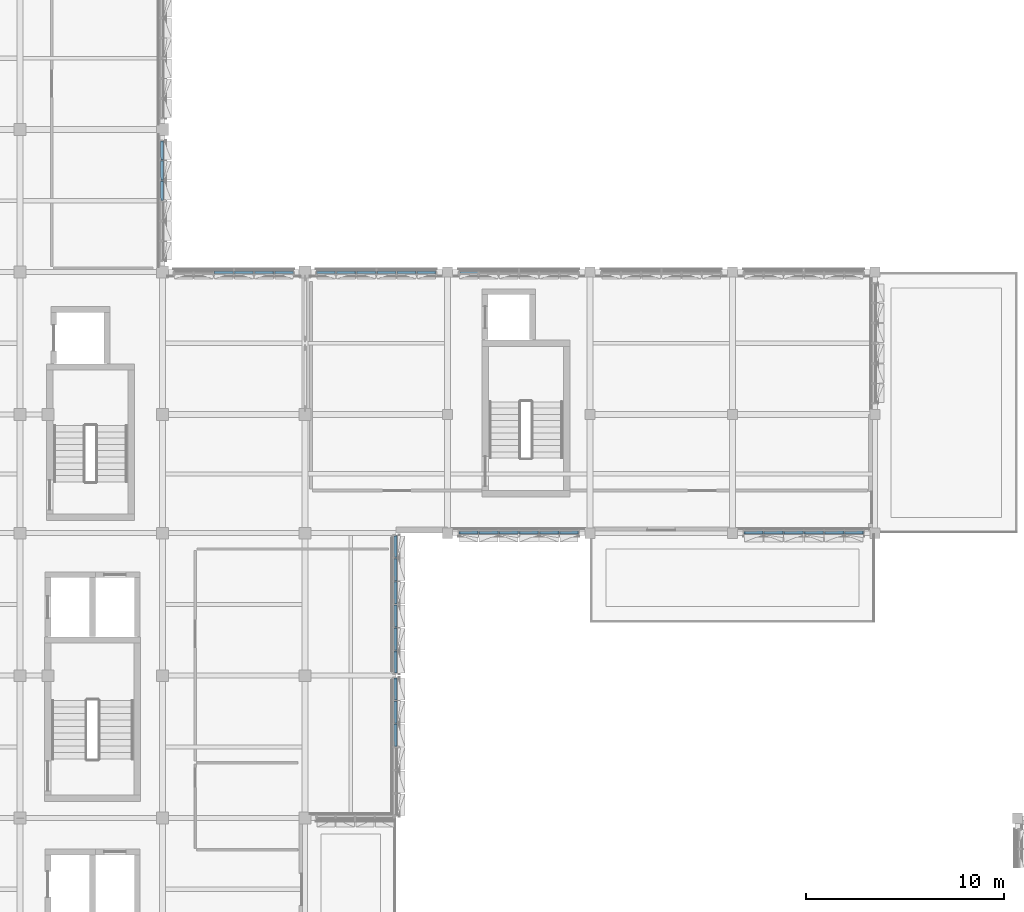
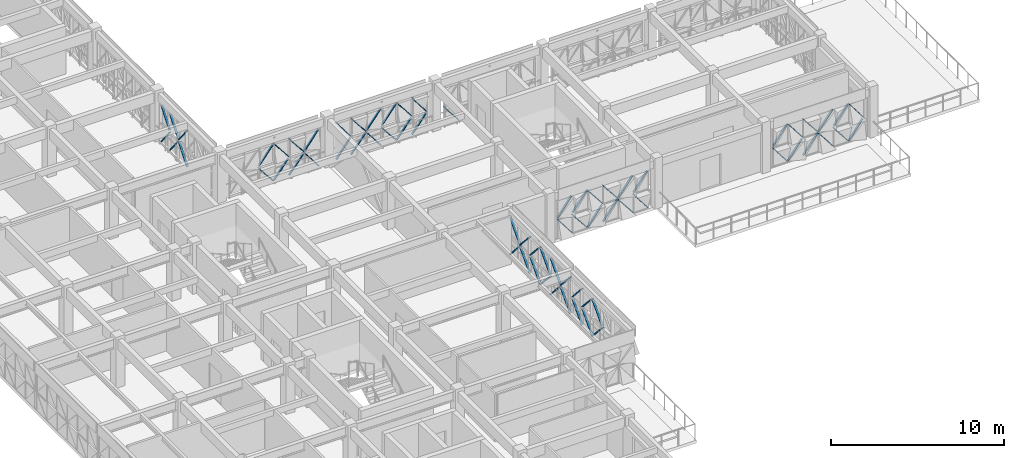
# One storey, part 46 of 74: 69 discrete accessories.
"""IFC4 building model written with IfcOpenShell, lengths in metres."""

from ifc_helpers import new_model, si_unit, direction, frame, origin, origin_2d, place, context, subcontext, project, spatial, rectangle, extrude, material, type_object, element, save


model = new_model("IFC4")

# Units and contexts
model_context = context("Model", 3, precision=1e-05, world=origin(), true_north=direction((0.0, 1.0)))
body_context = subcontext(model_context, "Body", "Model", "MODEL_VIEW")
ifc_project = project(units=[si_unit("LENGTHUNIT", "METRE"), si_unit("AREAUNIT", "SQUARE_METRE"), si_unit("VOLUMEUNIT", "CUBIC_METRE"), si_unit("PLANEANGLEUNIT", "RADIAN"), si_unit("MASSUNIT", "GRAM", prefix="KILO")], contexts=[model_context])

# Site, building, storey
site_placement = place(None, origin())
site = spatial("IfcSite", under=ifc_project, at=site_placement, CompositionType="ELEMENT")
building_placement = place(site_placement, origin())
building = spatial("IfcBuilding", under=site, at=building_placement, Name="Alvorim Cloister Faculty of Sciences", CompositionType="ELEMENT")
storey_placement = place(building_placement, frame((0.0, 0.0, 15.75)))
storey = spatial("IfcBuildingStorey", under=building, at=storey_placement, Name="L04", CompositionType="ELEMENT", Elevation=15.75)

# Discrete accessories
ifc_material = material(Name="Aluminium Alloy 6063-T6", Category="aluminium")
discrete_accessory_type = type_object("IfcDiscreteAccessoryType", Name="ACC-DIAG-BAR", PredefinedType="BRACKET", material=ifc_material)
discrete_accessory_1_placement = place(storey_placement, frame((21.577392578125, 60.032470703125, 0.139892578125), z_axis=(-0.006476523147, 0.617955086572, 0.786186724404), x_axis=(-0.999945083323, -0.010479997039, 0.0)))
element("IfcDiscreteAccessory", 1, at=discrete_accessory_1_placement, inside=storey, type_object=discrete_accessory_type, Name="Diagonal Cassette Glazing Bracket ACC-02044", PredefinedType="BRACKET", context=body_context, shape_type="SweptSolid", body=[
    extrude(rectangle(XDim=0.139892578125, YDim=0.044921875, at=origin_2d()), origin(), (0.0, 0.0, 1.0), 1.545654296875),
])
discrete_accessory_2_placement = place(storey_placement, frame((21.577392578125, 60.032470703125, 2.7099609375), z_axis=(-0.00647732753, 0.618031836495, -0.786126385072), x_axis=(-0.999945083323, -0.010479997039, 0.0)))
element("IfcDiscreteAccessory", 2, at=discrete_accessory_2_placement, inside=storey, type_object=discrete_accessory_type, Name="Diagonal Cassette Glazing Bracket ACC-02045", PredefinedType="BRACKET", context=body_context, shape_type="SweptSolid", body=[
    extrude(rectangle(XDim=0.139892578125, YDim=0.044921875, at=origin_2d()), origin(), (0.0, 0.0, 1.0), 1.54541015625),
])
discrete_accessory_3_placement = place(storey_placement, frame((21.577392578125, 61.052490234375, 1.35498046875), z_axis=(-0.006476523147, 0.617955086572, -0.786186724404), x_axis=(-0.999945083323, -0.010479997039, 0.0)))
element("IfcDiscreteAccessory", 3, at=discrete_accessory_3_placement, inside=storey, type_object=discrete_accessory_type, Name="Diagonal Cassette Glazing Bracket ACC-02046", PredefinedType="BRACKET", context=body_context, shape_type="SweptSolid", body=[
    extrude(rectangle(XDim=0.139892578125, YDim=0.044921875, at=origin_2d()), origin(), (0.0, 0.0, 1.0), 1.545654296875),
])
discrete_accessory_4_placement = place(storey_placement, frame((21.577392578125, 61.052490234375, 1.4951171875), z_axis=(-0.00647732753, 0.618031836495, 0.786126385072), x_axis=(-0.999945083323, -0.010479997039, 0.0)))
element("IfcDiscreteAccessory", 4, at=discrete_accessory_4_placement, inside=storey, type_object=discrete_accessory_type, Name="Diagonal Cassette Glazing Bracket ACC-02047", PredefinedType="BRACKET", context=body_context, shape_type="SweptSolid", body=[
    extrude(rectangle(XDim=0.139892578125, YDim=0.044921875, at=origin_2d()), origin(), (0.0, 0.0, 1.0), 1.54541015625),
])
discrete_accessory_5_placement = place(storey_placement, frame((21.577392578125, 62.072509765625, 1.35498046875), z_axis=(-0.006560793558, 0.604713142785, -0.796416330151), x_axis=(-0.999941150118, -0.010848792579, 0.0)))
element("IfcDiscreteAccessory", 5, at=discrete_accessory_5_placement, inside=storey, type_object=discrete_accessory_type, Name="Diagonal Cassette Glazing Bracket ACC-02048", PredefinedType="BRACKET", context=body_context, shape_type="SweptSolid", body=[
    extrude(rectangle(XDim=0.139892578125, YDim=0.044921875, at=origin_2d()), origin(), (0.0, 0.0, 1.0), 1.525634765625),
])
discrete_accessory_6_placement = place(storey_placement, frame((21.577392578125, 62.072509765625, 1.4951171875), z_axis=(-0.006561629754, 0.604790215644, 0.796357796519), x_axis=(-0.999941150118, -0.010848792579, 0.0)))
element("IfcDiscreteAccessory", 6, at=discrete_accessory_6_placement, inside=storey, type_object=discrete_accessory_type, Name="Diagonal Cassette Glazing Bracket ACC-02049", PredefinedType="BRACKET", context=body_context, shape_type="SweptSolid", body=[
    extrude(rectangle(XDim=0.139892578125, YDim=0.044921875, at=origin_2d()), origin(), (0.0, 0.0, 1.0), 1.525390625),
])
discrete_accessory_7_placement = place(storey_placement, frame((24.21240234375, 56.37744140625, 1.35498046875), z_axis=(0.617955086572, -0.006476523147, -0.786186724404), x_axis=(0.010479997039, 0.999945083323, 0.0)))
element("IfcDiscreteAccessory", 7, at=discrete_accessory_7_placement, inside=storey, type_object=discrete_accessory_type, Name="Diagonal Cassette Glazing Bracket ACC-02055", PredefinedType="BRACKET", context=body_context, shape_type="SweptSolid", body=[
    extrude(rectangle(XDim=0.139892578125, YDim=0.044921875, at=origin_2d()), origin(), (0.0, 0.0, 1.0), 1.545654296875),
])
discrete_accessory_8_placement = place(storey_placement, frame((24.21240234375, 56.37744140625, 1.4951171875), z_axis=(0.618031836495, -0.00647732753, 0.786126385072), x_axis=(0.010479997039, 0.999945083323, 0.0)))
element("IfcDiscreteAccessory", 8, at=discrete_accessory_8_placement, inside=storey, type_object=discrete_accessory_type, Name="Diagonal Cassette Glazing Bracket ACC-02056", PredefinedType="BRACKET", context=body_context, shape_type="SweptSolid", body=[
    extrude(rectangle(XDim=0.139892578125, YDim=0.044921875, at=origin_2d()), origin(), (0.0, 0.0, 1.0), 1.54541015625),
])
discrete_accessory_9_placement = place(storey_placement, frame((25.232421875, 56.37744140625, 0.139892578125), z_axis=(0.617955086572, -0.006476523147, 0.786186724404), x_axis=(0.010479997039, 0.999945083323, 0.0)))
element("IfcDiscreteAccessory", 9, at=discrete_accessory_9_placement, inside=storey, type_object=discrete_accessory_type, Name="Diagonal Cassette Glazing Bracket ACC-02057", PredefinedType="BRACKET", context=body_context, shape_type="SweptSolid", body=[
    extrude(rectangle(XDim=0.139892578125, YDim=0.044921875, at=origin_2d()), origin(), (0.0, 0.0, 1.0), 1.545654296875),
])
discrete_accessory_10_placement = place(storey_placement, frame((25.232421875, 56.37744140625, 2.7099609375), z_axis=(0.618031836495, -0.00647732753, -0.786126385072), x_axis=(0.010479997039, 0.999945083323, 0.0)))
element("IfcDiscreteAccessory", 10, at=discrete_accessory_10_placement, inside=storey, type_object=discrete_accessory_type, Name="Diagonal Cassette Glazing Bracket ACC-02058", PredefinedType="BRACKET", context=body_context, shape_type="SweptSolid", body=[
    extrude(rectangle(XDim=0.139892578125, YDim=0.044921875, at=origin_2d()), origin(), (0.0, 0.0, 1.0), 1.54541015625),
])
discrete_accessory_11_placement = place(storey_placement, frame((26.25244140625, 56.37744140625, 0.139892578125), z_axis=(0.617955086572, -0.006476523147, 0.786186724404), x_axis=(0.010479997039, 0.999945083323, 0.0)))
element("IfcDiscreteAccessory", 11, at=discrete_accessory_11_placement, inside=storey, type_object=discrete_accessory_type, Name="Diagonal Cassette Glazing Bracket ACC-02059", PredefinedType="BRACKET", context=body_context, shape_type="SweptSolid", body=[
    extrude(rectangle(XDim=0.139892578125, YDim=0.044921875, at=origin_2d()), origin(), (0.0, 0.0, 1.0), 1.545654296875),
])
discrete_accessory_12_placement = place(storey_placement, frame((26.25244140625, 56.37744140625, 2.7099609375), z_axis=(0.618031836495, -0.00647732753, -0.786126385072), x_axis=(0.010479997039, 0.999945083323, 0.0)))
element("IfcDiscreteAccessory", 12, at=discrete_accessory_12_placement, inside=storey, type_object=discrete_accessory_type, Name="Diagonal Cassette Glazing Bracket ACC-02060", PredefinedType="BRACKET", context=body_context, shape_type="SweptSolid", body=[
    extrude(rectangle(XDim=0.139892578125, YDim=0.044921875, at=origin_2d()), origin(), (0.0, 0.0, 1.0), 1.54541015625),
])
discrete_accessory_13_placement = place(storey_placement, frame((27.2724609375, 56.37744140625, 1.35498046875), z_axis=(0.604713142785, -0.006560793558, -0.796416330151), x_axis=(0.010848792579, 0.999941150118, 0.0)))
element("IfcDiscreteAccessory", 13, at=discrete_accessory_13_placement, inside=storey, type_object=discrete_accessory_type, Name="Diagonal Cassette Glazing Bracket ACC-02061", PredefinedType="BRACKET", context=body_context, shape_type="SweptSolid", body=[
    extrude(rectangle(XDim=0.139892578125, YDim=0.044921875, at=origin_2d()), origin(), (0.0, 0.0, 1.0), 1.525634765625),
])
discrete_accessory_14_placement = place(storey_placement, frame((27.2724609375, 56.37744140625, 1.4951171875), z_axis=(0.604790215644, -0.006561629754, 0.796357796519), x_axis=(0.010848792579, 0.999941150118, 0.0)))
element("IfcDiscreteAccessory", 14, at=discrete_accessory_14_placement, inside=storey, type_object=discrete_accessory_type, Name="Diagonal Cassette Glazing Bracket ACC-02062", PredefinedType="BRACKET", context=body_context, shape_type="SweptSolid", body=[
    extrude(rectangle(XDim=0.139892578125, YDim=0.044921875, at=origin_2d()), origin(), (0.0, 0.0, 1.0), 1.525390625),
])
discrete_accessory_15_placement = place(storey_placement, frame((29.405029296875, 56.37744140625, 0.139892578125), z_axis=(0.604611624251, -0.006561428426, 0.796493397008), x_axis=(0.010851663811, 0.999941118963, 0.0)))
element("IfcDiscreteAccessory", 15, at=discrete_accessory_15_placement, inside=storey, type_object=discrete_accessory_type, Name="Diagonal Cassette Glazing Bracket ACC-02064", PredefinedType="BRACKET", context=body_context, shape_type="SweptSolid", body=[
    extrude(rectangle(XDim=0.139892578125, YDim=0.044921875, at=origin_2d()), origin(), (0.0, 0.0, 1.0), 1.525634765625),
])
discrete_accessory_16_placement = place(storey_placement, frame((29.405029296875, 56.37744140625, 2.7099609375), z_axis=(0.604688699088, -0.006562264866, -0.796434877359), x_axis=(0.010851663811, 0.999941118963, 0.0)))
element("IfcDiscreteAccessory", 16, at=discrete_accessory_16_placement, inside=storey, type_object=discrete_accessory_type, Name="Diagonal Cassette Glazing Bracket ACC-02065", PredefinedType="BRACKET", context=body_context, shape_type="SweptSolid", body=[
    extrude(rectangle(XDim=0.139892578125, YDim=0.044921875, at=origin_2d()), origin(), (0.0, 0.0, 1.0), 1.525390625),
])
discrete_accessory_17_placement = place(storey_placement, frame((30.392578125, 56.37744140625, 0.139892578125), z_axis=(0.61785742976, -0.006477155362, 0.786263469168), x_axis=(0.010482676365, 0.999945055239, 0.0)))
element("IfcDiscreteAccessory", 17, at=discrete_accessory_17_placement, inside=storey, type_object=discrete_accessory_type, Name="Diagonal Cassette Glazing Bracket ACC-02066", PredefinedType="BRACKET", context=body_context, shape_type="SweptSolid", body=[
    extrude(rectangle(XDim=0.139892578125, YDim=0.044921875, at=origin_2d()), origin(), (0.0, 0.0, 1.0), 1.54541015625),
])
discrete_accessory_18_placement = place(storey_placement, frame((30.392578125, 56.37744140625, 2.7099609375), z_axis=(0.61793418254, -0.006477959981, -0.786203143012), x_axis=(0.010482676365, 0.999945055239, 0.0)))
element("IfcDiscreteAccessory", 18, at=discrete_accessory_18_placement, inside=storey, type_object=discrete_accessory_type, Name="Diagonal Cassette Glazing Bracket ACC-02067", PredefinedType="BRACKET", context=body_context, shape_type="SweptSolid", body=[
    extrude(rectangle(XDim=0.139892578125, YDim=0.044921875, at=origin_2d()), origin(), (0.0, 0.0, 1.0), 1.545166015625),
])
discrete_accessory_19_placement = place(storey_placement, frame((31.41259765625, 56.37744140625, 1.35498046875), z_axis=(0.61785742976, -0.006477155362, -0.786263469168), x_axis=(0.010482676365, 0.999945055239, 0.0)))
element("IfcDiscreteAccessory", 19, at=discrete_accessory_19_placement, inside=storey, type_object=discrete_accessory_type, Name="Diagonal Cassette Glazing Bracket ACC-02068", PredefinedType="BRACKET", context=body_context, shape_type="SweptSolid", body=[
    extrude(rectangle(XDim=0.139892578125, YDim=0.044921875, at=origin_2d()), origin(), (0.0, 0.0, 1.0), 1.54541015625),
])
discrete_accessory_20_placement = place(storey_placement, frame((31.41259765625, 56.37744140625, 1.4951171875), z_axis=(0.61793418254, -0.006477959981, 0.786203143012), x_axis=(0.010482676365, 0.999945055239, 0.0)))
element("IfcDiscreteAccessory", 20, at=discrete_accessory_20_placement, inside=storey, type_object=discrete_accessory_type, Name="Diagonal Cassette Glazing Bracket ACC-02069", PredefinedType="BRACKET", context=body_context, shape_type="SweptSolid", body=[
    extrude(rectangle(XDim=0.139892578125, YDim=0.044921875, at=origin_2d()), origin(), (0.0, 0.0, 1.0), 1.545166015625),
])
discrete_accessory_21_placement = place(storey_placement, frame((32.4326171875, 56.37744140625, 1.35498046875), z_axis=(0.61785742976, -0.006477155362, -0.786263469168), x_axis=(0.010482676365, 0.999945055239, 0.0)))
element("IfcDiscreteAccessory", 21, at=discrete_accessory_21_placement, inside=storey, type_object=discrete_accessory_type, Name="Diagonal Cassette Glazing Bracket ACC-02070", PredefinedType="BRACKET", context=body_context, shape_type="SweptSolid", body=[
    extrude(rectangle(XDim=0.139892578125, YDim=0.044921875, at=origin_2d()), origin(), (0.0, 0.0, 1.0), 1.54541015625),
])
discrete_accessory_22_placement = place(storey_placement, frame((32.4326171875, 56.37744140625, 1.4951171875), z_axis=(0.61793418254, -0.006477959981, 0.786203143012), x_axis=(0.010482676365, 0.999945055239, 0.0)))
element("IfcDiscreteAccessory", 22, at=discrete_accessory_22_placement, inside=storey, type_object=discrete_accessory_type, Name="Diagonal Cassette Glazing Bracket ACC-02071", PredefinedType="BRACKET", context=body_context, shape_type="SweptSolid", body=[
    extrude(rectangle(XDim=0.139892578125, YDim=0.044921875, at=origin_2d()), origin(), (0.0, 0.0, 1.0), 1.545166015625),
])
discrete_accessory_23_placement = place(storey_placement, frame((33.452392578125, 56.37744140625, 0.139892578125), z_axis=(0.617955086572, -0.006476523147, 0.786186724404), x_axis=(0.010479997039, 0.999945083323, 0.0)))
element("IfcDiscreteAccessory", 23, at=discrete_accessory_23_placement, inside=storey, type_object=discrete_accessory_type, Name="Diagonal Cassette Glazing Bracket ACC-02072", PredefinedType="BRACKET", context=body_context, shape_type="SweptSolid", body=[
    extrude(rectangle(XDim=0.139892578125, YDim=0.044921875, at=origin_2d()), origin(), (0.0, 0.0, 1.0), 1.545654296875),
])
discrete_accessory_24_placement = place(storey_placement, frame((33.452392578125, 56.37744140625, 2.7099609375), z_axis=(0.618031836495, -0.00647732753, -0.786126385072), x_axis=(0.010479997039, 0.999945083323, 0.0)))
element("IfcDiscreteAccessory", 24, at=discrete_accessory_24_placement, inside=storey, type_object=discrete_accessory_type, Name="Diagonal Cassette Glazing Bracket ACC-02073", PredefinedType="BRACKET", context=body_context, shape_type="SweptSolid", body=[
    extrude(rectangle(XDim=0.139892578125, YDim=0.044921875, at=origin_2d()), origin(), (0.0, 0.0, 1.0), 1.54541015625),
])
discrete_accessory_25_placement = place(storey_placement, frame((34.472412109375, 56.37744140625, 0.139892578125), z_axis=(0.604713142785, -0.006560793558, 0.796416330151), x_axis=(0.010848792579, 0.999941150118, 0.0)))
element("IfcDiscreteAccessory", 25, at=discrete_accessory_25_placement, inside=storey, type_object=discrete_accessory_type, Name="Diagonal Cassette Glazing Bracket ACC-02074", PredefinedType="BRACKET", context=body_context, shape_type="SweptSolid", body=[
    extrude(rectangle(XDim=0.139892578125, YDim=0.044921875, at=origin_2d()), origin(), (0.0, 0.0, 1.0), 1.525634765625),
])
discrete_accessory_26_placement = place(storey_placement, frame((34.472412109375, 56.37744140625, 2.7099609375), z_axis=(0.604790215644, -0.006561629754, -0.796357796519), x_axis=(0.010848792579, 0.999941150118, 0.0)))
element("IfcDiscreteAccessory", 26, at=discrete_accessory_26_placement, inside=storey, type_object=discrete_accessory_type, Name="Diagonal Cassette Glazing Bracket ACC-02075", PredefinedType="BRACKET", context=body_context, shape_type="SweptSolid", body=[
    extrude(rectangle(XDim=0.139892578125, YDim=0.044921875, at=origin_2d()), origin(), (0.0, 0.0, 1.0), 1.525390625),
])
for number, where, z_axis, x_axis, name in (
    (27, (36.60498046875, 56.37744140625, 1.35498046875), (0.604713142785, -0.006560793558, -0.796416330151), (0.010848792579, 0.999941150118, 0.0), "Diagonal Cassette Glazing Bracket ACC-02077"),
    (28, (51.0048828125, 43.222412109375, 1.35498046875), (0.604713142785, 0.006560793558, -0.796416330151), (-0.010848792579, 0.999941150118, 0.0), "Diagonal Cassette Glazing Bracket ACC-02129"),
):
    element("IfcDiscreteAccessory", number, at=place(storey_placement, frame(where, z_axis=z_axis, x_axis=x_axis)), inside=storey, type_object=discrete_accessory_type, Name=name, PredefinedType="BRACKET", context=body_context, shape_type="SweptSolid", body=[
        extrude(rectangle(XDim=0.139892578125, YDim=0.044921875, at=origin_2d()), origin(), (0.0, 0.0, 1.0), 1.525634765625),
    ])
discrete_accessory_27_placement = place(storey_placement, frame((51.0048828125, 43.222412109375, 1.4951171875), z_axis=(0.604790215644, 0.006561629754, 0.796357796519), x_axis=(-0.010848792579, 0.999941150118, 0.0)))
element("IfcDiscreteAccessory", 29, at=discrete_accessory_27_placement, inside=storey, type_object=discrete_accessory_type, Name="Diagonal Cassette Glazing Bracket ACC-02130", PredefinedType="BRACKET", context=body_context, shape_type="SweptSolid", body=[
    extrude(rectangle(XDim=0.139892578125, YDim=0.044921875, at=origin_2d()), origin(), (0.0, 0.0, 1.0), 1.525390625),
])
discrete_accessory_28_placement = place(storey_placement, frame((51.992431640625, 43.222412109375, 0.139892578125), z_axis=(0.617955086572, 0.006476523147, 0.786186724404), x_axis=(-0.010479997039, 0.999945083323, 0.0)))
element("IfcDiscreteAccessory", 30, at=discrete_accessory_28_placement, inside=storey, type_object=discrete_accessory_type, Name="Diagonal Cassette Glazing Bracket ACC-02131", PredefinedType="BRACKET", context=body_context, shape_type="SweptSolid", body=[
    extrude(rectangle(XDim=0.139892578125, YDim=0.044921875, at=origin_2d()), origin(), (0.0, 0.0, 1.0), 1.545654296875),
])
discrete_accessory_29_placement = place(storey_placement, frame((51.992431640625, 43.222412109375, 2.7099609375), z_axis=(0.618031836495, 0.00647732753, -0.786126385072), x_axis=(-0.010479997039, 0.999945083323, 0.0)))
element("IfcDiscreteAccessory", 31, at=discrete_accessory_29_placement, inside=storey, type_object=discrete_accessory_type, Name="Diagonal Cassette Glazing Bracket ACC-02132", PredefinedType="BRACKET", context=body_context, shape_type="SweptSolid", body=[
    extrude(rectangle(XDim=0.139892578125, YDim=0.044921875, at=origin_2d()), origin(), (0.0, 0.0, 1.0), 1.54541015625),
])
discrete_accessory_30_placement = place(storey_placement, frame((53.012451171875, 43.222412109375, 0.139892578125), z_axis=(0.617955086572, 0.006476523147, 0.786186724404), x_axis=(-0.010479997039, 0.999945083323, 0.0)))
element("IfcDiscreteAccessory", 32, at=discrete_accessory_30_placement, inside=storey, type_object=discrete_accessory_type, Name="Diagonal Cassette Glazing Bracket ACC-02133", PredefinedType="BRACKET", context=body_context, shape_type="SweptSolid", body=[
    extrude(rectangle(XDim=0.139892578125, YDim=0.044921875, at=origin_2d()), origin(), (0.0, 0.0, 1.0), 1.545654296875),
])
discrete_accessory_31_placement = place(storey_placement, frame((53.012451171875, 43.222412109375, 2.7099609375), z_axis=(0.618031836495, 0.00647732753, -0.786126385072), x_axis=(-0.010479997039, 0.999945083323, 0.0)))
element("IfcDiscreteAccessory", 33, at=discrete_accessory_31_placement, inside=storey, type_object=discrete_accessory_type, Name="Diagonal Cassette Glazing Bracket ACC-02134", PredefinedType="BRACKET", context=body_context, shape_type="SweptSolid", body=[
    extrude(rectangle(XDim=0.139892578125, YDim=0.044921875, at=origin_2d()), origin(), (0.0, 0.0, 1.0), 1.54541015625),
])
discrete_accessory_32_placement = place(storey_placement, frame((54.032470703125, 43.222412109375, 1.35498046875), z_axis=(0.617955086572, 0.006476523147, -0.786186724404), x_axis=(-0.010479997039, 0.999945083323, 0.0)))
element("IfcDiscreteAccessory", 34, at=discrete_accessory_32_placement, inside=storey, type_object=discrete_accessory_type, Name="Diagonal Cassette Glazing Bracket ACC-02135", PredefinedType="BRACKET", context=body_context, shape_type="SweptSolid", body=[
    extrude(rectangle(XDim=0.139892578125, YDim=0.044921875, at=origin_2d()), origin(), (0.0, 0.0, 1.0), 1.545654296875),
])
discrete_accessory_33_placement = place(storey_placement, frame((54.032470703125, 43.222412109375, 1.4951171875), z_axis=(0.618031836495, 0.00647732753, 0.786126385072), x_axis=(-0.010479997039, 0.999945083323, 0.0)))
element("IfcDiscreteAccessory", 35, at=discrete_accessory_33_placement, inside=storey, type_object=discrete_accessory_type, Name="Diagonal Cassette Glazing Bracket ACC-02136", PredefinedType="BRACKET", context=body_context, shape_type="SweptSolid", body=[
    extrude(rectangle(XDim=0.139892578125, YDim=0.044921875, at=origin_2d()), origin(), (0.0, 0.0, 1.0), 1.54541015625),
])
discrete_accessory_34_placement = place(storey_placement, frame((55.052490234375, 43.222412109375, 1.35498046875), z_axis=(0.617955086572, 0.006476523147, -0.786186724404), x_axis=(-0.010479997039, 0.999945083323, 0.0)))
element("IfcDiscreteAccessory", 36, at=discrete_accessory_34_placement, inside=storey, type_object=discrete_accessory_type, Name="Diagonal Cassette Glazing Bracket ACC-02137", PredefinedType="BRACKET", context=body_context, shape_type="SweptSolid", body=[
    extrude(rectangle(XDim=0.139892578125, YDim=0.044921875, at=origin_2d()), origin(), (0.0, 0.0, 1.0), 1.545654296875),
])
discrete_accessory_35_placement = place(storey_placement, frame((55.052490234375, 43.222412109375, 1.4951171875), z_axis=(0.618031836495, 0.00647732753, 0.786126385072), x_axis=(-0.010479997039, 0.999945083323, 0.0)))
element("IfcDiscreteAccessory", 37, at=discrete_accessory_35_placement, inside=storey, type_object=discrete_accessory_type, Name="Diagonal Cassette Glazing Bracket ACC-02138", PredefinedType="BRACKET", context=body_context, shape_type="SweptSolid", body=[
    extrude(rectangle(XDim=0.139892578125, YDim=0.044921875, at=origin_2d()), origin(), (0.0, 0.0, 1.0), 1.54541015625),
])
discrete_accessory_36_placement = place(storey_placement, frame((56.072509765625, 43.222412109375, 0.139892578125), z_axis=(0.604713142785, 0.006560793558, 0.796416330151), x_axis=(-0.010848792579, 0.999941150118, 0.0)))
element("IfcDiscreteAccessory", 38, at=discrete_accessory_36_placement, inside=storey, type_object=discrete_accessory_type, Name="Diagonal Cassette Glazing Bracket ACC-02139", PredefinedType="BRACKET", context=body_context, shape_type="SweptSolid", body=[
    extrude(rectangle(XDim=0.139892578125, YDim=0.044921875, at=origin_2d()), origin(), (0.0, 0.0, 1.0), 1.525634765625),
])
discrete_accessory_37_placement = place(storey_placement, frame((56.072509765625, 43.222412109375, 2.7099609375), z_axis=(0.604790215644, 0.006561629754, -0.796357796519), x_axis=(-0.010848792579, 0.999941150118, 0.0)))
element("IfcDiscreteAccessory", 39, at=discrete_accessory_37_placement, inside=storey, type_object=discrete_accessory_type, Name="Diagonal Cassette Glazing Bracket ACC-02140", PredefinedType="BRACKET", context=body_context, shape_type="SweptSolid", body=[
    extrude(rectangle(XDim=0.139892578125, YDim=0.044921875, at=origin_2d()), origin(), (0.0, 0.0, 1.0), 1.525390625),
])
discrete_accessory_38_placement = place(storey_placement, frame((36.60498046875, 43.222412109375, 1.35498046875), z_axis=(0.604713142785, 0.006560793558, -0.796416330151), x_axis=(-0.010848792579, 0.999941150118, 0.0)))
element("IfcDiscreteAccessory", 40, at=discrete_accessory_38_placement, inside=storey, type_object=discrete_accessory_type, Name="Diagonal Cassette Glazing Bracket ACC-02142", PredefinedType="BRACKET", context=body_context, shape_type="SweptSolid", body=[
    extrude(rectangle(XDim=0.139892578125, YDim=0.044921875, at=origin_2d()), origin(), (0.0, 0.0, 1.0), 1.525634765625),
])
discrete_accessory_39_placement = place(storey_placement, frame((36.60498046875, 43.222412109375, 1.4951171875), z_axis=(0.604790215644, 0.006561629754, 0.796357796519), x_axis=(-0.010848792579, 0.999941150118, 0.0)))
element("IfcDiscreteAccessory", 41, at=discrete_accessory_39_placement, inside=storey, type_object=discrete_accessory_type, Name="Diagonal Cassette Glazing Bracket ACC-02143", PredefinedType="BRACKET", context=body_context, shape_type="SweptSolid", body=[
    extrude(rectangle(XDim=0.139892578125, YDim=0.044921875, at=origin_2d()), origin(), (0.0, 0.0, 1.0), 1.525390625),
])
discrete_accessory_40_placement = place(storey_placement, frame((37.592529296875, 43.222412109375, 1.35498046875), z_axis=(0.617955086572, 0.006476523147, -0.786186724404), x_axis=(-0.010479997039, 0.999945083323, 0.0)))
element("IfcDiscreteAccessory", 42, at=discrete_accessory_40_placement, inside=storey, type_object=discrete_accessory_type, Name="Diagonal Cassette Glazing Bracket ACC-02144", PredefinedType="BRACKET", context=body_context, shape_type="SweptSolid", body=[
    extrude(rectangle(XDim=0.139892578125, YDim=0.044921875, at=origin_2d()), origin(), (0.0, 0.0, 1.0), 1.545654296875),
])
for number, where, z_axis, x_axis, name in (
    (43, (37.592529296875, 43.222412109375, 1.4951171875), (0.618031836495, 0.00647732753, 0.786126385072), (-0.010479997039, 0.999945083323, 0.0), "Diagonal Cassette Glazing Bracket ACC-02145"),
    (44, (38.612548828125, 43.222412109375, 0.139892578125), (0.61785742976, 0.006477155362, 0.786263469168), (-0.010482676365, 0.999945055239, 0.0), "Diagonal Cassette Glazing Bracket ACC-02146"),
):
    element("IfcDiscreteAccessory", number, at=place(storey_placement, frame(where, z_axis=z_axis, x_axis=x_axis)), inside=storey, type_object=discrete_accessory_type, Name=name, PredefinedType="BRACKET", context=body_context, shape_type="SweptSolid", body=[
        extrude(rectangle(XDim=0.139892578125, YDim=0.044921875, at=origin_2d()), origin(), (0.0, 0.0, 1.0), 1.54541015625),
    ])
discrete_accessory_41_placement = place(storey_placement, frame((38.612548828125, 43.222412109375, 2.7099609375), z_axis=(0.61793418254, 0.006477959981, -0.786203143012), x_axis=(-0.010482676365, 0.999945055239, 0.0)))
element("IfcDiscreteAccessory", 45, at=discrete_accessory_41_placement, inside=storey, type_object=discrete_accessory_type, Name="Diagonal Cassette Glazing Bracket ACC-02147", PredefinedType="BRACKET", context=body_context, shape_type="SweptSolid", body=[
    extrude(rectangle(XDim=0.139892578125, YDim=0.044921875, at=origin_2d()), origin(), (0.0, 0.0, 1.0), 1.545166015625),
])
discrete_accessory_42_placement = place(storey_placement, frame((39.632568359375, 43.222412109375, 0.139892578125), z_axis=(0.61785742976, 0.006477155362, 0.786263469168), x_axis=(-0.010482676365, 0.999945055239, 0.0)))
element("IfcDiscreteAccessory", 46, at=discrete_accessory_42_placement, inside=storey, type_object=discrete_accessory_type, Name="Diagonal Cassette Glazing Bracket ACC-02148", PredefinedType="BRACKET", context=body_context, shape_type="SweptSolid", body=[
    extrude(rectangle(XDim=0.139892578125, YDim=0.044921875, at=origin_2d()), origin(), (0.0, 0.0, 1.0), 1.54541015625),
])
discrete_accessory_43_placement = place(storey_placement, frame((39.632568359375, 43.222412109375, 2.7099609375), z_axis=(0.61793418254, 0.006477959981, -0.786203143012), x_axis=(-0.010482676365, 0.999945055239, 0.0)))
element("IfcDiscreteAccessory", 47, at=discrete_accessory_43_placement, inside=storey, type_object=discrete_accessory_type, Name="Diagonal Cassette Glazing Bracket ACC-02149", PredefinedType="BRACKET", context=body_context, shape_type="SweptSolid", body=[
    extrude(rectangle(XDim=0.139892578125, YDim=0.044921875, at=origin_2d()), origin(), (0.0, 0.0, 1.0), 1.545166015625),
])
discrete_accessory_44_placement = place(storey_placement, frame((40.652587890625, 43.222412109375, 1.35498046875), z_axis=(0.61785742976, 0.006477155362, -0.786263469168), x_axis=(-0.010482676365, 0.999945055239, 0.0)))
element("IfcDiscreteAccessory", 48, at=discrete_accessory_44_placement, inside=storey, type_object=discrete_accessory_type, Name="Diagonal Cassette Glazing Bracket ACC-02150", PredefinedType="BRACKET", context=body_context, shape_type="SweptSolid", body=[
    extrude(rectangle(XDim=0.139892578125, YDim=0.044921875, at=origin_2d()), origin(), (0.0, 0.0, 1.0), 1.54541015625),
])
discrete_accessory_45_placement = place(storey_placement, frame((40.652587890625, 43.222412109375, 1.4951171875), z_axis=(0.61793418254, 0.006477959981, 0.786203143012), x_axis=(-0.010482676365, 0.999945055239, 0.0)))
element("IfcDiscreteAccessory", 49, at=discrete_accessory_45_placement, inside=storey, type_object=discrete_accessory_type, Name="Diagonal Cassette Glazing Bracket ACC-02151", PredefinedType="BRACKET", context=body_context, shape_type="SweptSolid", body=[
    extrude(rectangle(XDim=0.139892578125, YDim=0.044921875, at=origin_2d()), origin(), (0.0, 0.0, 1.0), 1.545166015625),
])
discrete_accessory_46_placement = place(storey_placement, frame((41.672607421875, 43.222412109375, 1.35498046875), z_axis=(0.604611624251, 0.006561428426, -0.796493397008), x_axis=(-0.010851663811, 0.999941118963, 0.0)))
element("IfcDiscreteAccessory", 50, at=discrete_accessory_46_placement, inside=storey, type_object=discrete_accessory_type, Name="Diagonal Cassette Glazing Bracket ACC-02152", PredefinedType="BRACKET", context=body_context, shape_type="SweptSolid", body=[
    extrude(rectangle(XDim=0.139892578125, YDim=0.044921875, at=origin_2d()), origin(), (0.0, 0.0, 1.0), 1.525634765625),
])
discrete_accessory_47_placement = place(storey_placement, frame((41.672607421875, 43.222412109375, 1.4951171875), z_axis=(0.604688699088, 0.006562264866, 0.796434877359), x_axis=(-0.010851663811, 0.999941118963, 0.0)))
element("IfcDiscreteAccessory", 51, at=discrete_accessory_47_placement, inside=storey, type_object=discrete_accessory_type, Name="Diagonal Cassette Glazing Bracket ACC-02153", PredefinedType="BRACKET", context=body_context, shape_type="SweptSolid", body=[
    extrude(rectangle(XDim=0.139892578125, YDim=0.044921875, at=origin_2d()), origin(), (0.0, 0.0, 1.0), 1.525390625),
])
for number, where, z_axis, x_axis, name in (
    (52, (33.37744140625, 36.14501953125, 0.139892578125), (-0.00615769655, 0.661877285306, 0.749586914219), (-0.99995672636, -0.009302978394, 0.0), "Diagonal Cassette Glazing Bracket ACC-02155"),
    (53, (33.37744140625, 36.14501953125, 2.717041015625), (-0.00615769655, 0.661877285306, -0.749586914219), (-0.99995672636, -0.009302978394, 0.0), "Diagonal Cassette Glazing Bracket ACC-02156"),
):
    element("IfcDiscreteAccessory", number, at=place(storey_placement, frame(where, z_axis=z_axis, x_axis=x_axis)), inside=storey, type_object=discrete_accessory_type, Name=name, PredefinedType="BRACKET", context=body_context, shape_type="SweptSolid", body=[
        extrude(rectangle(XDim=0.139892578125, YDim=0.044921875, at=origin_2d()), origin(), (0.0, 0.0, 1.0), 1.62548828125),
    ])
for number, where, z_axis, x_axis, name in (
    (54, (33.37744140625, 37.285888671875, 1.3583984375), (-0.006076684558, 0.672881655969, -0.73972518611), (-0.999959224486, -0.009030468767, 0.0), "Diagonal Cassette Glazing Bracket ACC-02157"),
    (55, (33.37744140625, 37.285888671875, 1.49853515625), (-0.006076684558, 0.672881655969, 0.73972518611), (-0.999959224486, -0.009030468767, 0.0), "Diagonal Cassette Glazing Bracket ACC-02158"),
):
    element("IfcDiscreteAccessory", number, at=place(storey_placement, frame(where, z_axis=z_axis, x_axis=x_axis)), inside=storey, type_object=discrete_accessory_type, Name=name, PredefinedType="BRACKET", context=body_context, shape_type="SweptSolid", body=[
        extrude(rectangle(XDim=0.139892578125, YDim=0.044921875, at=origin_2d()), origin(), (0.0, 0.0, 1.0), 1.647216796875),
    ])
for number, where, z_axis, x_axis, name in (
    (56, (33.37744140625, 38.459228515625, 1.3583984375), (-0.006077290604, 0.67280053784, -0.739798961084), (-0.999959206518, -0.009032458133, 0.0), "Diagonal Cassette Glazing Bracket ACC-02159"),
    (57, (33.37744140625, 38.459228515625, 1.49853515625), (-0.006077290604, 0.67280053784, 0.739798961084), (-0.999959206518, -0.009032458133, 0.0), "Diagonal Cassette Glazing Bracket ACC-02160"),
    (58, (33.37744140625, 39.632568359375, 0.139892578125), (-0.006077290604, 0.67280053784, 0.739798961084), (-0.999959206518, -0.009032458133, 0.0), "Diagonal Cassette Glazing Bracket ACC-02161"),
    (59, (33.37744140625, 39.632568359375, 2.717041015625), (-0.006077290604, 0.67280053784, -0.739798961084), (-0.999959206518, -0.009032458133, 0.0), "Diagonal Cassette Glazing Bracket ACC-02162"),
    (60, (33.37744140625, 40.805908203125, 0.139892578125), (-0.006077290604, 0.67280053784, 0.739798961084), (-0.999959206518, -0.009032458133, 0.0), "Diagonal Cassette Glazing Bracket ACC-02163"),
    (61, (33.37744140625, 40.805908203125, 2.717041015625), (-0.006077290604, 0.67280053784, -0.739798961084), (-0.999959206518, -0.009032458133, 0.0), "Diagonal Cassette Glazing Bracket ACC-02164"),
):
    element("IfcDiscreteAccessory", number, at=place(storey_placement, frame(where, z_axis=z_axis, x_axis=x_axis)), inside=storey, type_object=discrete_accessory_type, Name=name, PredefinedType="BRACKET", context=body_context, shape_type="SweptSolid", body=[
        extrude(rectangle(XDim=0.139892578125, YDim=0.044921875, at=origin_2d()), origin(), (0.0, 0.0, 1.0), 1.64697265625),
    ])
for number, where, z_axis, x_axis, name in (
    (62, (33.37744140625, 41.979248046875, 1.3583984375), (-0.006158308683, 0.661792879469, -0.749661430193), (-0.999956706716, -0.009305089645, 0.0), "Diagonal Cassette Glazing Bracket ACC-02165"),
    (63, (33.37744140625, 41.979248046875, 1.49853515625), (-0.006158308683, 0.661792879469, 0.749661430193), (-0.999956706716, -0.009305089645, 0.0), "Diagonal Cassette Glazing Bracket ACC-02166"),
):
    element("IfcDiscreteAccessory", number, at=place(storey_placement, frame(where, z_axis=z_axis, x_axis=x_axis)), inside=storey, type_object=discrete_accessory_type, Name=name, PredefinedType="BRACKET", context=body_context, shape_type="SweptSolid", body=[
        extrude(rectangle(XDim=0.139892578125, YDim=0.044921875, at=origin_2d()), origin(), (0.0, 0.0, 1.0), 1.62548828125),
    ])
for number, where, z_axis, x_axis, name in (
    (64, (33.37744140625, 32.4326171875, 1.3583984375), (-0.006077290604, 0.67280053784, -0.739798961084), (-0.999959206518, -0.009032458133, 0.0), "Diagonal Cassette Glazing Bracket ACC-02174"),
    (65, (33.37744140625, 32.4326171875, 1.49853515625), (-0.006077290604, 0.67280053784, 0.739798961084), (-0.999959206518, -0.009032458133, 0.0), "Diagonal Cassette Glazing Bracket ACC-02175"),
):
    element("IfcDiscreteAccessory", number, at=place(storey_placement, frame(where, z_axis=z_axis, x_axis=x_axis)), inside=storey, type_object=discrete_accessory_type, Name=name, PredefinedType="BRACKET", context=body_context, shape_type="SweptSolid", body=[
        extrude(rectangle(XDim=0.139892578125, YDim=0.044921875, at=origin_2d()), origin(), (0.0, 0.0, 1.0), 1.64697265625),
    ])
for number, where, z_axis, x_axis, name in (
    (66, (33.37744140625, 33.605712890625, 0.139892578125), (-0.006076684558, 0.672881655969, 0.73972518611), (-0.999959224486, -0.009030468767, 0.0), "Diagonal Cassette Glazing Bracket ACC-02176"),
    (67, (33.37744140625, 33.605712890625, 2.717041015625), (-0.006076684558, 0.672881655969, -0.73972518611), (-0.999959224486, -0.009030468767, 0.0), "Diagonal Cassette Glazing Bracket ACC-02177"),
):
    element("IfcDiscreteAccessory", number, at=place(storey_placement, frame(where, z_axis=z_axis, x_axis=x_axis)), inside=storey, type_object=discrete_accessory_type, Name=name, PredefinedType="BRACKET", context=body_context, shape_type="SweptSolid", body=[
        extrude(rectangle(XDim=0.139892578125, YDim=0.044921875, at=origin_2d()), origin(), (0.0, 0.0, 1.0), 1.647216796875),
    ])
for number, where, z_axis, x_axis, name in (
    (68, (33.37744140625, 34.779052734375, 0.139892578125), (-0.00615769655, 0.661877285306, 0.749586914219), (-0.99995672636, -0.009302978394, 0.0), "Diagonal Cassette Glazing Bracket ACC-02178"),
    (69, (33.37744140625, 34.779052734375, 2.717041015625), (-0.00615769655, 0.661877285306, -0.749586914219), (-0.99995672636, -0.009302978394, 0.0), "Diagonal Cassette Glazing Bracket ACC-02179"),
):
    element("IfcDiscreteAccessory", number, at=place(storey_placement, frame(where, z_axis=z_axis, x_axis=x_axis)), inside=storey, type_object=discrete_accessory_type, Name=name, PredefinedType="BRACKET", context=body_context, shape_type="SweptSolid", body=[
        extrude(rectangle(XDim=0.139892578125, YDim=0.044921875, at=origin_2d()), origin(), (0.0, 0.0, 1.0), 1.62548828125),
    ])

save(model, "model.ifc")
